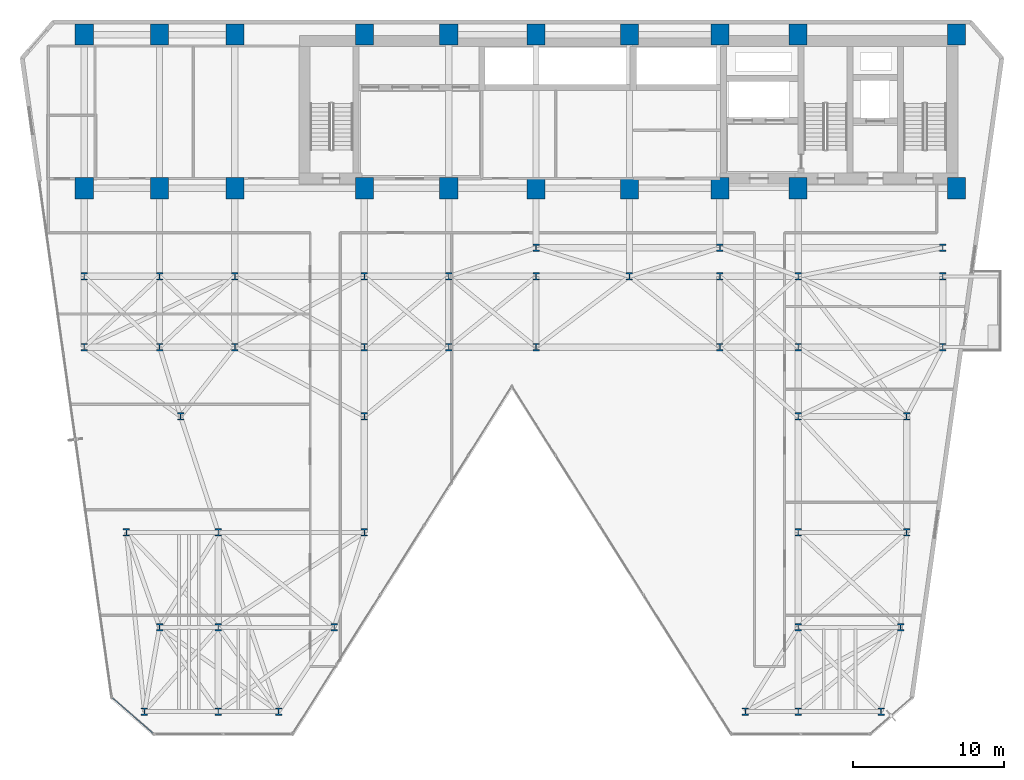
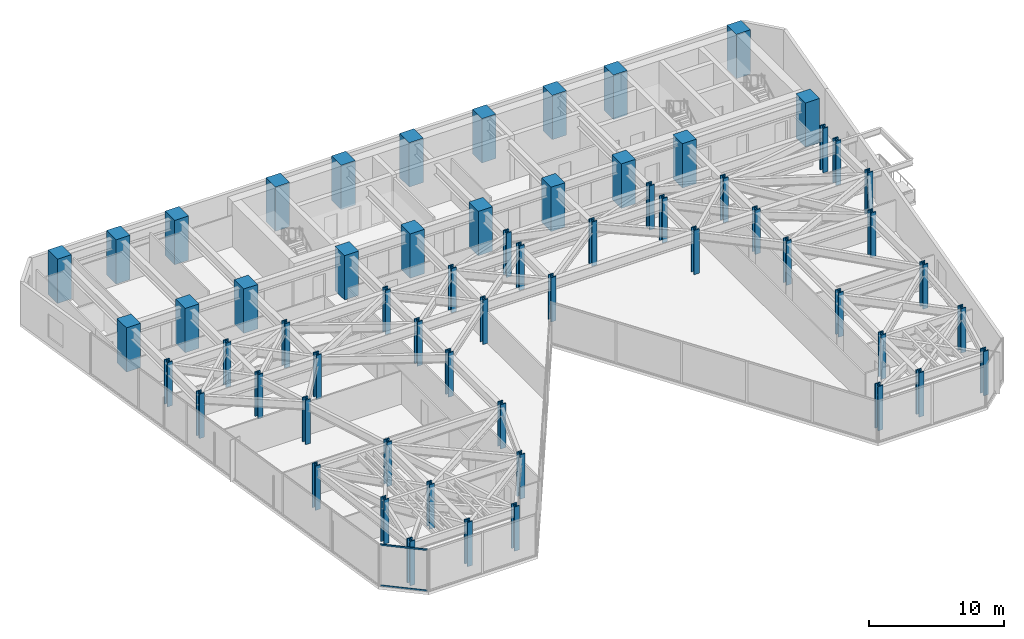
# One storey, part 1 of 25: 62 columns, 2 members, 1 element without a shape of its own.
"""IFC4 building model written with IfcOpenShell, lengths in metres."""

import ifcopenshell
import ifcopenshell.guid

model = None  # the IFC model being written
_history = None  # IfcOwnerHistory: only IFC2X3 demands one
_inside = {}  # id of a spatial element -> (the spatial element, [elements in it])
_under = {}  # id of a project, library or spatial element -> (it, [spatial elements below it])
_declared = {}  # id of a project -> (the project, [libraries it declares])
_typed = {}  # id of a type object -> (the type object, [elements of that type])
_made_of = {}  # id of a material, layer set ... -> (it, [elements and type objects made of it])


def new_model(schema):
    """Start an empty IFC model of exactly this schema.

    Asked for "IFC4X3", IfcOpenShell would pick the latest addendum, in which some entities
    have other attributes; the version numbers below select the first issue.
    IFC2X3 requires an IfcOwnerHistory on every rooted entity: one is made here for all.
    """
    global model, _history
    if schema == "IFC4X3":
        model = ifcopenshell.file(schema_version=(4, 3, 0, 0))
    else:
        model = ifcopenshell.file(schema=schema)
    _inside.clear()
    _under.clear()
    _declared.clear()
    _typed.clear()
    _made_of.clear()
    _history = None
    if model.schema == "IFC2X3":
        org = make("IfcOrganization", Name="unknown")
        user = make(
            "IfcPersonAndOrganization",
            ThePerson=make("IfcPerson", FamilyName="unknown"),
            TheOrganization=org,
        )
        app = make(
            "IfcApplication",
            ApplicationDeveloper=org,
            Version="unknown",
            ApplicationFullName="unknown",
            ApplicationIdentifier="unknown",
        )
        _history = make(
            "IfcOwnerHistory",
            OwningUser=user,
            OwningApplication=app,
            ChangeAction="ADDED",
            CreationDate=0,
        )
    return model


def make(cls, **values):
    """One entity of the class cls with the attributes given. An attribute that is None is left unset."""
    return model.create_entity(
        cls, **{name: value for name, value in values.items() if value is not None}
    )


def rooted(cls, **values):
    """An entity with a GlobalId (a new one), such as an element, a storey or a relation."""
    return make(cls, GlobalId=ifcopenshell.guid.new(), OwnerHistory=_history, **values)


def si_unit(unit_type, name, prefix=None):
    """IfcSIUnit, for example si_unit("LENGTHUNIT", "METRE", prefix="MILLI")."""
    return make("IfcSIUnit", UnitType=unit_type, Prefix=prefix, Name=name)


def assignment(units):
    """IfcUnitAssignment: the units of a project."""
    return None if units is None else make("IfcUnitAssignment", Units=units)


def point(xyz):
    """IfcCartesianPoint."""
    return None if xyz is None else make("IfcCartesianPoint", Coordinates=xyz)


def direction(xyz):
    """IfcDirection."""
    return None if xyz is None else make("IfcDirection", DirectionRatios=xyz)


def frame(location, z_axis=None, x_axis=None):
    """IfcAxis2Placement3D, a coordinate frame: its origin and axes. An axis left out is left unset."""
    return make(
        "IfcAxis2Placement3D",
        Location=point(location),
        Axis=direction(z_axis),
        RefDirection=direction(x_axis),
    )


def frame_2d(location, x_axis=None):
    """IfcAxis2Placement2D, a coordinate frame in the plane: its origin and x axis."""
    return make(
        "IfcAxis2Placement2D", Location=point(location), RefDirection=direction(x_axis)
    )


def origin():
    """The frame at (0, 0, 0) with its axes left unset."""
    return frame((0.0, 0.0, 0.0))


def origin_2d():
    """The frame at (0, 0) in the plane with its x axis left unset."""
    return frame_2d((0.0, 0.0))


def place(relative_to, where):
    """IfcLocalPlacement: puts the frame where relative to a parent placement (None: the world)."""
    return make(
        "IfcLocalPlacement", PlacementRelTo=relative_to, RelativePlacement=where
    )


def context(
    kind, dimensions, precision=None, world=None, true_north=None, identifier=None
):
    """IfcGeometricRepresentationContext, for example the 3D "Model" context."""
    return make(
        "IfcGeometricRepresentationContext",
        ContextIdentifier=identifier,
        ContextType=kind,
        CoordinateSpaceDimension=dimensions,
        Precision=precision,
        WorldCoordinateSystem=world,
        TrueNorth=true_north,
    )


def subcontext(parent, identifier, kind, view, scale=None):
    """IfcGeometricRepresentationSubContext, for example "Body" below "Model"."""
    return make(
        "IfcGeometricRepresentationSubContext",
        ContextIdentifier=identifier,
        ContextType=kind,
        ParentContext=parent,
        TargetScale=scale,
        TargetView=view,
    )


def project(units=None, contexts=None):
    """IfcProject with its units and contexts."""
    return rooted(
        "IfcProject",
        Name="project",
        RepresentationContexts=contexts,
        UnitsInContext=assignment(units),
    )


def spatial(cls, under=None, at=None, **own):
    """A site, building, storey or space (cls), placed at a placement, below another one or the project."""
    s = rooted(cls, ObjectPlacement=at, **own)
    if under is not None:
        _under.setdefault(under.id(), (under, []))[1].append(s)
    return s


def profile(cls, at=None, kind="AREA", **sizes):
    """A parametric profile (cls). Its sizes go by their IFC names, for example OverallWidth=200.0."""
    return make(cls, ProfileType=kind, Position=at, **sizes)


def rectangle(**sizes):
    """IfcRectangleProfileDef."""
    return profile("IfcRectangleProfileDef", **sizes)


def hollow_rectangle(**sizes):
    """IfcRectangleHollowProfileDef."""
    return profile("IfcRectangleHollowProfileDef", **sizes)


def i_section(**sizes):
    """IfcIShapeProfileDef."""
    return profile("IfcIShapeProfileDef", **sizes)


def extrude(swept, where, along, depth):
    """IfcExtrudedAreaSolid: the profile swept, set in the frame where, extruded along a direction by depth."""
    return make(
        "IfcExtrudedAreaSolid",
        SweptArea=swept,
        Position=where,
        ExtrudedDirection=direction(along),
        Depth=depth,
    )


def shape(context_of_items, identifier, shape_type, items):
    """IfcShapeRepresentation: the items that make up one representation, for example the "Body"."""
    return make(
        "IfcShapeRepresentation",
        ContextOfItems=context_of_items,
        RepresentationIdentifier=identifier,
        RepresentationType=shape_type,
        Items=items,
    )


def material(Name=None, Category=None):
    """IfcMaterial."""
    return make("IfcMaterial", Name=Name, Category=Category)


def layer(
    of_material, thickness, ventilated=None, Name=None, Category=None, Priority=None
):
    """IfcMaterialLayer: one layer of a wall or slab, of a material (None: an air gap)."""
    return make(
        "IfcMaterialLayer",
        Material=of_material,
        LayerThickness=thickness,
        IsVentilated=ventilated,
        Name=Name,
        Category=Category,
        Priority=Priority,
    )


def layer_set(layers, Name=None):
    """IfcMaterialLayerSet."""
    return make("IfcMaterialLayerSet", MaterialLayers=layers, LayerSetName=Name)


def material_profile(
    of_material, cross_section, Name=None, Category=None, Priority=None
):
    """IfcMaterialProfile: a cross section and its material."""
    return make(
        "IfcMaterialProfile",
        Name=Name,
        Material=of_material,
        Profile=cross_section,
        Priority=Priority,
        Category=Category,
    )


def profile_set(profiles, Name=None, composite=None):
    """IfcMaterialProfileSet."""
    return make(
        "IfcMaterialProfileSet",
        Name=Name,
        MaterialProfiles=profiles,
        CompositeProfile=composite,
    )


def made_of(thing, what):
    """Note that an element or type object is made of a material, layer set ...; save() writes the relation."""
    if what is not None:
        _made_of.setdefault(what.id(), (what, []))[1].append(thing)
    return thing


def type_object(cls, material=None, **own):
    """A type object (cls), such as IfcWallType, which elements share."""
    return made_of(rooted(cls, **own), material)


def element(
    cls,
    number,
    at=None,
    inside=None,
    cuts=None,
    type_object=None,
    material=None,
    context=None,
    identifier="Body",
    shape_type=None,
    held_by="IfcProductDefinitionShape",
    body=None,
    shapes=None,
    **own,
):
    """One element of the class cls, such as IfcWall. Its Tag is "e" and its number.

    at: its placement. inside: the storey or other place that contains it. cuts: it is an
    opening in that element (IfcRelVoidsElement). A single representation is given by context,
    identifier, shape_type and body (its items); several are given by shapes. held_by: the class
    of the entity that holds the representations. save() writes the other relations.
    """
    e = rooted(cls, Tag="e%d" % number, ObjectPlacement=at, **own)
    if body is not None:
        shapes = [shape(context, identifier, shape_type, body)]
    if shapes is not None:
        e.Representation = make(held_by, Representations=shapes)
    if inside is not None:
        _inside.setdefault(inside.id(), (inside, []))[1].append(e)
    if cuts is not None:
        rooted(
            "IfcRelVoidsElement", RelatingBuildingElement=cuts, RelatedOpeningElement=e
        )
    if type_object is not None:
        _typed.setdefault(type_object.id(), (type_object, []))[1].append(e)
    return made_of(e, material)


def aggregate(whole, parts):
    """IfcRelAggregates: a whole, such as a stair, and the parts it consists of."""
    return rooted("IfcRelAggregates", RelatingObject=whole, RelatedObjects=parts)


def save(model, path):
    """Write the relations noted so far, then the file.

    IfcRelAggregates (storeys below a building ...), IfcRelContainedInSpatialStructure (elements
    in a storey), IfcRelDefinesByType, IfcRelAssociatesMaterial and IfcRelDeclares: one each for
    every whole, place, type object, material and project.
    """
    for whole, parts in _under.values():
        aggregate(whole, parts)
    for where, things in _inside.values():
        rooted(
            "IfcRelContainedInSpatialStructure",
            RelatedElements=things,
            RelatingStructure=where,
        )
    for kind, things in _typed.values():
        rooted("IfcRelDefinesByType", RelatedObjects=things, RelatingType=kind)
    for what, things in _made_of.values():
        rooted("IfcRelAssociatesMaterial", RelatedObjects=things, RelatingMaterial=what)
    for by, libraries in _declared.values():
        rooted("IfcRelDeclares", RelatingContext=by, RelatedDefinitions=libraries)
    model.write(path)


model = new_model("IFC4")

# Units and contexts
model_context = context("Model", 3, precision=1e-05, world=origin(), true_north=direction((0.0, 1.0)))
body_context = subcontext(model_context, "Body", "Model", "MODEL_VIEW")
ifc_project = project(units=[si_unit("LENGTHUNIT", "METRE"), si_unit("AREAUNIT", "SQUARE_METRE"), si_unit("VOLUMEUNIT", "CUBIC_METRE"), si_unit("PLANEANGLEUNIT", "RADIAN"), si_unit("MASSUNIT", "GRAM", prefix="KILO")], contexts=[model_context])

# Site, building, storey
site_placement = place(None, origin())
site = spatial("IfcSite", under=ifc_project, at=site_placement, CompositionType="ELEMENT")
building_placement = place(site_placement, origin())
building = spatial("IfcBuilding", under=site, at=building_placement, Name="Kravanh Interchange Tower", CompositionType="ELEMENT")
storey_placement = place(building_placement, frame((0.0, 0.0, 65.5)))
storey = spatial("IfcBuildingStorey", under=building, at=storey_placement, Name="L15", CompositionType="ELEMENT", Elevation=65.5)

# Columns
ifc_material_1 = material(Name="Concrete C70/85", Category="concrete")
ifc_material_profile_1 = material_profile(ifc_material_1, rectangle(XDim=1.199951171875, YDim=1.39990234375, at=origin_2d()), Name="RC1200X1400")
ifc_profile_set_1 = profile_set([ifc_material_profile_1], Name="Concrete C70/85")
column_type_1 = type_object("IfcColumnType", Name="Column RC1200X1400 Concrete C70/85", PredefinedType="COLUMN", material=ifc_profile_set_1)
for number, where, z_axis, x_axis, name in (
    (1, (66.5, 47.550048828125, 0.0), (0.0, 0.0, 1.0), (1.0, 0.0, 0.0), "L15 Column CS01"),
    (2, (56.0, 47.550048828125, 0.0), (0.0, 0.0, 1.0), (1.0, 0.0, 0.0), "L15 Column CS02"),
    (3, (66.5, 37.35009765625, 0.0), (0.0, 0.0, 1.0), (1.0, 0.0, 0.0), "L15 Column CS03"),
    (4, (56.0, 37.35009765625, 0.0), (0.0, 0.0, 1.0), (1.0, 0.0, 0.0), "L15 Column CS04"),
    (5, (50.800048828125, 47.550048828125, 0.0), (0.0, 0.0, 1.0), (1.0, 0.0, 0.0), "L15 Column CS05"),
    (6, (50.800048828125, 37.35009765625, 0.0), (0.0, 0.0, 1.0), (1.0, 0.0, 0.0), "L15 Column CS06"),
    (7, (44.800048828125, 37.35009765625, 0.0), (0.0, 0.0, 1.0), (1.0, 0.0, 0.0), "L15 Column CS07"),
    (8, (44.800048828125, 47.550048828125, 0.0), (0.0, 0.0, 1.0), (1.0, 0.0, 0.0), "L15 Column CS08"),
    (9, (38.60009765625, 37.35009765625, 0.0), (0.0, 0.0, 1.0), (1.0, 0.0, 0.0), "L15 Column CS09"),
    (10, (38.60009765625, 47.550048828125, 0.0), (0.0, 0.0, 1.0), (1.0, 0.0, 0.0), "L15 Column CS10"),
    (11, (32.800048828125, 37.35009765625, 0.0), (0.0, 0.0, 1.0), (1.0, 0.0, 0.0), "L15 Column CS11"),
    (12, (32.800048828125, 47.550048828125, 0.0), (0.0, 0.0, 1.0), (1.0, 0.0, 0.0), "L15 Column CS12"),
    (13, (27.199951171875, 37.35009765625, 0.0), (0.0, 0.0, 1.0), (1.0, 0.0, 0.0), "L15 Column CS13"),
    (14, (27.199951171875, 47.550048828125, 0.0), (0.0, 0.0, 1.0), (1.0, 0.0, 0.0), "L15 Column CS14"),
    (15, (18.60009765625, 37.35009765625, 0.0), (0.0, 0.0, 1.0), (1.0, 0.0, 0.0), "L15 Column CS17"),
    (16, (18.60009765625, 47.550048828125, 0.0), (0.0, 0.0, 1.0), (1.0, 0.0, 0.0), "L15 Column CS18"),
    (17, (13.60009765625, 37.35009765625, 0.0), (0.0, 0.0, 1.0), (1.0, 0.0, 0.0), "L15 Column CS19"),
    (18, (13.60009765625, 47.550048828125, 0.0), (0.0, 0.0, 1.0), (1.0, 0.0, 0.0), "L15 Column CS20"),
    (19, (8.60009765625, 37.35009765625, 0.0), (0.0, 0.0, 1.0), (1.0, 0.0, 0.0), "L15 Column CS21"),
    (20, (8.60009765625, 47.550048828125, 0.0), (0.0, 0.0, 1.0), (1.0, 0.0, 0.0), "L15 Column CS22"),
):
    element("IfcColumn", number, at=place(storey_placement, frame(where, z_axis=z_axis, x_axis=x_axis)), inside=storey, type_object=column_type_1, Name=name, PredefinedType="COLUMN", context=body_context, shape_type="SweptSolid", body=[
        extrude(rectangle(XDim=1.199951171875, YDim=1.39990234375, at=origin_2d()), origin(), (0.0, 0.0, 1.0), 4.0),
    ])
ifc_material_2 = material(Name="Structural Steel S450", Category="steel")
ifc_material_profile_2 = material_profile(ifc_material_2, i_section(OverallWidth=0.431884765625, OverallDepth=0.498046875, WebThickness=0.0556640625, FlangeThickness=0.0888671875, FilletRadius=0.030029296875, at=origin_2d()), Name="W14X500")
ifc_profile_set_2 = profile_set([ifc_material_profile_2], Name="Structural Steel S450")
column_type_2 = type_object("IfcColumnType", Name="Column W14X500 Structural Steel S450", PredefinedType="COLUMN", material=ifc_profile_set_2)
for number, where, z_axis, x_axis, name in (
    (21, (12.60009765625, 2.60009765625, 0.0), (0.0, 0.0, 1.0), (1.0, 0.0, 0.0), "L15 Column CZ1_1"),
    (22, (56.0, 14.5, 0.0), (0.0, 0.0, 1.0), (1.0, 0.0, 0.0), "L15 Column CZ1_10"),
    (23, (63.199951171875, 14.5, 0.0), (0.0, 0.0, 1.0), (1.0, 0.0, 0.0), "L15 Column CZ1_11"),
    (24, (15.0, 22.199951171875, 0.0), (0.0, 0.0, 1.0), (1.0, 0.0, 0.0), "L15 Column CZ1_11B"),
    (25, (27.199951171875, 22.199951171875, 0.0), (0.0, 0.0, 1.0), (1.0, 0.0, 0.0), "L15 Column CZ1_11C"),
    (26, (56.0, 22.199951171875, 0.0), (0.0, 0.0, 1.0), (1.0, 0.0, 0.0), "L15 Column CZ1_11D"),
    (27, (63.199951171875, 22.199951171875, 0.0), (0.0, 0.0, 1.0), (1.0, 0.0, 0.0), "L15 Column CZ1_11E"),
    (28, (8.60009765625, 26.800048828125, 0.0), (0.0, 0.0, 1.0), (1.0, 0.0, 0.0), "L15 Column CZ1_12"),
    (29, (13.60009765625, 26.800048828125, 0.0), (0.0, 0.0, 1.0), (1.0, 0.0, 0.0), "L15 Column CZ1_13"),
    (30, (18.60009765625, 26.800048828125, 0.0), (0.0, 0.0, 1.0), (1.0, 0.0, 0.0), "L15 Column CZ1_14"),
    (31, (27.199951171875, 26.800048828125, 0.0), (0.0, 0.0, 1.0), (1.0, 0.0, 0.0), "L15 Column CZ1_15"),
    (32, (32.800048828125, 26.800048828125, 0.0), (0.0, 0.0, 1.0), (1.0, 0.0, 0.0), "L15 Column CZ1_16"),
    (33, (38.60009765625, 26.800048828125, 0.0), (0.0, 0.0, 1.0), (1.0, 0.0, 0.0), "L15 Column CZ1_16B"),
    (34, (50.800048828125, 26.800048828125, 0.0), (0.0, 0.0, 1.0), (1.0, 0.0, 0.0), "L15 Column CZ1_17"),
    (35, (56.0, 26.800048828125, 0.0), (0.0, 0.0, 1.0), (1.0, 0.0, 0.0), "L15 Column CZ1_18"),
    (36, (65.60009765625, 26.800048828125, 0.0), (0.0, 0.0, 1.0), (1.0, 0.0, 0.0), "L15 Column CZ1_19"),
    (37, (8.60009765625, 31.5, 0.0), (0.0, 0.0, 1.0), (1.0, 0.0, 0.0), "L15 Column CZ1_19B"),
    (38, (13.60009765625, 31.5, 0.0), (0.0, 0.0, 1.0), (1.0, 0.0, 0.0), "L15 Column CZ1_19C"),
    (39, (17.5, 2.60009765625, 0.0), (0.0, 0.0, 1.0), (1.0, 0.0, 0.0), "L15 Column CZ1_2"),
    (40, (18.60009765625, 31.5, 0.0), (0.0, 0.0, 1.0), (1.0, 0.0, 0.0), "L15 Column CZ1_20"),
    (41, (27.199951171875, 31.5, 0.0), (0.0, 0.0, 1.0), (1.0, 0.0, 0.0), "L15 Column CZ1_21"),
    (42, (32.800048828125, 31.5, 0.0), (0.0, 0.0, 1.0), (1.0, 0.0, 0.0), "L15 Column CZ1_22"),
    (43, (38.60009765625, 31.5, 0.0), (0.0, 0.0, 1.0), (1.0, 0.0, 0.0), "L15 Column CZ1_23"),
    (44, (44.800048828125, 31.5, 0.0), (0.0, 0.0, 1.0), (1.0, 0.0, 0.0), "L15 Column CZ1_24"),
    (45, (50.800048828125, 31.5, 0.0), (0.0, 0.0, 1.0), (1.0, 0.0, 0.0), "L15 Column CZ1_25"),
    (46, (56.0, 31.5, 0.0), (0.0, 0.0, 1.0), (1.0, 0.0, 0.0), "L15 Column CZ1_26"),
    (47, (65.60009765625, 31.5, 0.0), (0.0, 0.0, 1.0), (1.0, 0.0, 0.0), "L15 Column CZ1_27"),
    (48, (21.5, 2.60009765625, 0.0), (0.0, 0.0, 1.0), (1.0, 0.0, 0.0), "L15 Column CZ1_3"),
    (49, (52.5, 2.60009765625, 0.0), (0.0, 0.0, 1.0), (1.0, 0.0, 0.0), "L15 Column CZ1_4"),
    (50, (56.0, 2.60009765625, 0.0), (0.0, 0.0, 1.0), (1.0, 0.0, 0.0), "L15 Column CZ1_5"),
    (51, (61.5, 2.60009765625, 0.0), (0.0, 0.0, 1.0), (1.0, 0.0, 0.0), "L15 Column CZ1_5B"),
    (52, (13.60009765625, 8.199951171875, 0.0), (0.0, 0.0, 1.0), (1.0, 0.0, 0.0), "L15 Column CZ1_6"),
    (53, (17.5, 8.199951171875, 0.0), (0.0, 0.0, 1.0), (1.0, 0.0, 0.0), "L15 Column CZ1_6B"),
    (54, (25.199951171875, 8.199951171875, 0.0), (0.0, 0.0, 1.0), (1.0, 0.0, 0.0), "L15 Column CZ1_6C"),
    (55, (56.0, 8.199951171875, 0.0), (0.0, 0.0, 1.0), (1.0, 0.0, 0.0), "L15 Column CZ1_6D"),
    (56, (62.800048828125, 8.199951171875, 0.0), (0.0, 0.0, 1.0), (1.0, 0.0, 0.0), "L15 Column CZ1_6E"),
    (57, (11.39990234375, 14.5, 0.0), (0.0, 0.0, 1.0), (1.0, 0.0, 0.0), "L15 Column CZ1_7"),
    (58, (17.5, 14.5, 0.0), (0.0, 0.0, 1.0), (1.0, 0.0, 0.0), "L15 Column CZ1_7B"),
    (59, (27.199951171875, 14.5, 0.0), (0.0, 0.0, 1.0), (1.0, 0.0, 0.0), "L15 Column CZ1_8"),
    (60, (38.60009765625, 33.39990234375, 0.0), (0.0, 0.0, 1.0), (1.0, 0.0, 0.0), "L15 Column CZ1_M1"),
    (61, (50.800048828125, 33.39990234375, 0.0), (0.0, 0.0, 1.0), (1.0, 0.0, 0.0), "L15 Column CZ1_M2"),
    (62, (65.60009765625, 33.39990234375, 0.0), (0.0, 0.0, 1.0), (1.0, 0.0, 0.0), "L15 Column CZ1_M3"),
):
    element("IfcColumn", number, at=place(storey_placement, frame(where, z_axis=z_axis, x_axis=x_axis)), inside=storey, type_object=column_type_2, Name=name, PredefinedType="COLUMN", context=body_context, shape_type="SweptSolid", body=[
        extrude(i_section(OverallWidth=0.431884765625, OverallDepth=0.498046875, WebThickness=0.0556640625, FlangeThickness=0.0888671875, FilletRadius=0.030029296875, at=origin_2d()), origin(), (0.0, 0.0, 1.0), 4.0),
    ])

# Curtain wall, members
ifc_material_3 = material(Name="Anodised Bronze Aluminium", Category="aluminium")
ifc_layer = layer(ifc_material_3, 0.179931640625)
ifc_layer_set = layer_set([ifc_layer], Name="Unitised Curtain Wall System CW-Z1 Lower Office")
curtain_wall_type = type_object("IfcCurtainWallType", Name="Unitised Curtain Wall System CW-Z1 Lower Office", PredefinedType="NOTDEFINED", material=ifc_layer_set)
curtain_wall_placement = place(storey_placement, origin())
curtain_wall = element("IfcCurtainWall", 63, at=curtain_wall_placement, inside=storey, type_object=curtain_wall_type, Name="L15 Unitised Curtain Wall CW-L15-07", PredefinedType="NOTDEFINED")
ifc_material_4 = material(Name="Anodised Bronze Aluminium", Category="aluminium")
ifc_material_profile_3 = material_profile(ifc_material_4, hollow_rectangle(XDim=0.06005859375, YDim=0.139892578125, WallThickness=0.00390625, at=origin_2d()), Name="ALU60X140X4")
ifc_profile_set_3 = profile_set([ifc_material_profile_3], Name="Anodised Bronze Aluminium")
member_type = type_object("IfcMemberType", Name="Curtain Wall Transom ALU60X140X4 Bronze", PredefinedType="USERDEFINED", material=ifc_profile_set_3)
member_1_placement = place(storey_placement, frame((13.167724609375, 1.166015625, 0.030029296875), z_axis=(-0.754710815466, 0.656057608004, 0.0), x_axis=(-0.656057608004, -0.754710815466, 0.0)))
member_1 = element("IfcMember", 64, at=member_1_placement, type_object=member_type, Name="CW-Z1 transom 1.1", ObjectType="TRANSOM", PredefinedType="USERDEFINED", context=body_context, shape_type="SweptSolid", body=[
    extrude(hollow_rectangle(XDim=0.06005859375, YDim=0.139892578125, WallThickness=0.00390625, at=origin_2d()), origin(), (0.0, 0.0, 1.0), 3.543701171875),
])
member_2_placement = place(storey_placement, frame((13.167724609375, 1.166015625, 3.7099609375), z_axis=(-0.754710815466, 0.656057608004, 0.0), x_axis=(-0.656057608004, -0.754710815466, 0.0)))
member_2 = element("IfcMember", 65, at=member_2_placement, type_object=member_type, Name="CW-Z1 transom 1.2", ObjectType="TRANSOM", PredefinedType="USERDEFINED", context=body_context, shape_type="SweptSolid", body=[
    extrude(hollow_rectangle(XDim=0.06005859375, YDim=0.139892578125, WallThickness=0.00390625, at=origin_2d()), origin(), (0.0, 0.0, 1.0), 3.543701171875),
])
aggregate(curtain_wall, [member_1, member_2])

save(model, "model.ifc")
